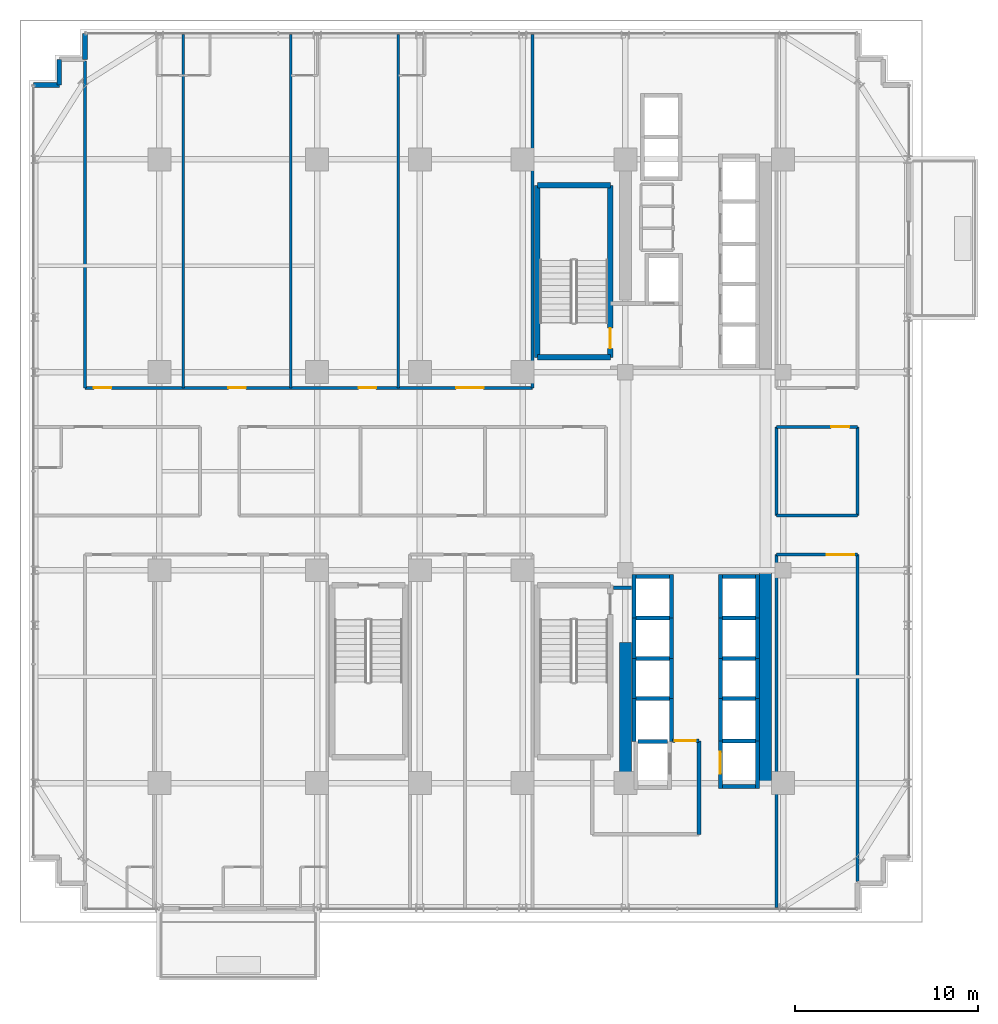
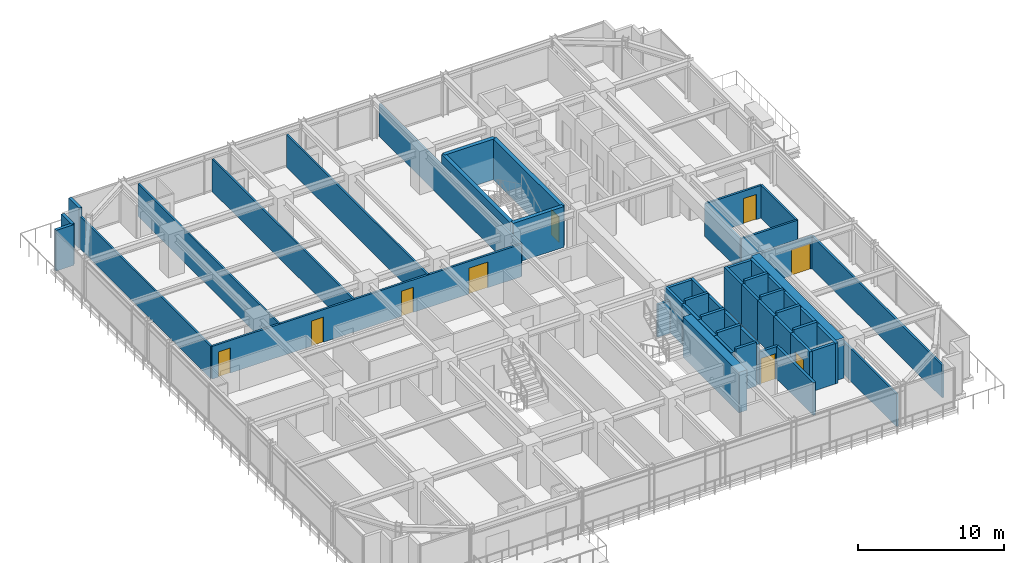
# One storey, part 28 of 34: 54 walls, 9 doors, 9 openings.
"""IFC4 building model written with IfcOpenShell, lengths in metres."""

from ifc_helpers import new_model, si_unit, direction, frame, frame_2d, origin, place, context, subcontext, project, spatial, rectangle, extrude, source, transform, mapped, material, layer, layer_set, type_object, element, fill, save


model = new_model("IFC4")

# Units and contexts
model_context = context("Model", 3, precision=1e-05, world=origin(), true_north=direction((0.0, 1.0)))
body_context = subcontext(model_context, "Body", "Model", "MODEL_VIEW")
ifc_project = project(units=[si_unit("LENGTHUNIT", "METRE"), si_unit("AREAUNIT", "SQUARE_METRE"), si_unit("VOLUMEUNIT", "CUBIC_METRE"), si_unit("PLANEANGLEUNIT", "RADIAN"), si_unit("MASSUNIT", "GRAM", prefix="KILO")], contexts=[model_context])

# Site, building, storey
site_placement = place(None, origin())
site = spatial("IfcSite", under=ifc_project, at=site_placement, CompositionType="ELEMENT")
building_placement = place(site_placement, origin())
building = spatial("IfcBuilding", under=site, at=building_placement, Name="Nahalor Promenade Grand Hotel", CompositionType="ELEMENT")
storey_placement = place(building_placement, frame((0.0, 0.0, 88.300048828125)))
storey = spatial("IfcBuildingStorey", under=building, at=storey_placement, Name="L21", CompositionType="ELEMENT", Elevation=88.300048828125)

# Walls
ifc_material_1 = material(Name="Concrete B-60 (C50/60)", Category="concrete")
ifc_layer_1 = layer(ifc_material_1, 0.64990234375)
ifc_layer_set_1 = layer_set([ifc_layer_1], Name="Concrete B-60 (C50/60)")
wall_type_1 = type_object("IfcWallType", Name="Wall-CoreShear-650", PredefinedType="SHEAR", material=ifc_layer_set_1)
shared_shape_1 = source(origin(), body_context, "Body", "SweptSolid", [
    extrude(rectangle(XDim=7.64990234375, YDim=0.64990234375, at=frame_2d((3.824951171875, 0.0))), origin(), (0.0, 0.0, 1.0), 3.3798828125),
])
wall_1_placement = place(storey_placement, frame((8.39990234375, -17.0, 0.0), z_axis=(0.0, 0.0, 1.0), x_axis=(0.0, 1.0, 0.0)))
element("IfcWall", 1, at=wall_1_placement, inside=storey, type_object=wall_type_1, Name="CWALL-L21-SW", PredefinedType="SHEAR", context=body_context, shape_type="MappedRepresentation", body=[
    mapped(shared_shape_1, transform((0.0, 0.0, 0.0), scale=1.0)),
])
shared_shape_2 = source(origin(), body_context, "Body", "SweptSolid", [
    extrude(rectangle(XDim=11.60009765625, YDim=0.64990234375, at=frame_2d((5.800048828125, 0.0))), origin(), (0.0, 0.0, 1.0), 3.3798828125),
])
wall_2_placement = place(storey_placement, frame((16.050048828125, -17.0, 0.0), z_axis=(0.0, 0.0, 1.0), x_axis=(0.0, 1.0, 0.0)))
element("IfcWall", 2, at=wall_2_placement, inside=storey, type_object=wall_type_1, Name="CWALL-L21-SE", PredefinedType="SHEAR", context=body_context, shape_type="MappedRepresentation", body=[
    mapped(shared_shape_2, transform((0.0, 0.0, 0.0), scale=1.0)),
])
ifc_material_2 = material(Name="Concrete B-50 (C40/50)", Category="concrete")
ifc_layer_2 = layer(ifc_material_2, 0.300048828125)
ifc_layer_set_2 = layer_set([ifc_layer_2], Name="Concrete B-50 (C40/50)")
wall_type_2 = type_object("IfcWallType", Name="Wall-ShaftShear-300", PredefinedType="SHEAR", material=ifc_layer_set_2)
shared_shape_3 = source(origin(), body_context, "Body", "SweptSolid", [
    extrude(rectangle(XDim=3.97998046875, YDim=0.300048828125, at=frame_2d((1.989990234375, 0.0))), origin(), (0.0, 0.0, 1.0), 3.3798828125),
])
for number, where, z_axis, x_axis, name in (
    (3, (3.610107421875, 6.2099609375, 0.0), (0.0, 0.0, 1.0), (1.0, 0.0, 0.0), "L21 Exit Stair ST1 Shaft Wall S"),
    (4, (3.610107421875, 15.590087890625, 0.0), (0.0, 0.0, 1.0), (1.0, 0.0, 0.0), "L21 Exit Stair ST1 Shaft Wall N"),
):
    element("IfcWall", number, at=place(storey_placement, frame(where, z_axis=z_axis, x_axis=x_axis)), inside=storey, type_object=wall_type_2, Name=name, PredefinedType="SHEAR", context=body_context, shape_type="MappedRepresentation", body=[
        mapped(shared_shape_3, transform((0.0, 0.0, 0.0), scale=1.0)),
    ])
shared_shape_4 = source(origin(), body_context, "Body", "SweptSolid", [
    extrude(rectangle(XDim=9.380126953125, YDim=0.300048828125, at=frame_2d((4.68994140625, 0.0))), origin(), (0.0, 0.0, 1.0), 3.3798828125),
])
wall_3_placement = place(storey_placement, frame((3.610107421875, 6.2099609375, 0.0), z_axis=(0.0, 0.0, 1.0), x_axis=(0.0, 1.0, 0.0)))
element("IfcWall", 5, at=wall_3_placement, inside=storey, type_object=wall_type_2, Name="L21 Exit Stair ST1 Shaft Wall W", PredefinedType="SHEAR", context=body_context, shape_type="MappedRepresentation", body=[
    mapped(shared_shape_4, transform((0.0, 0.0, 0.0), scale=1.0)),
])

# Wall, opening, door
wall_4_placement = place(storey_placement, frame((7.590087890625, 6.2099609375, 0.0), z_axis=(0.0, 0.0, 1.0), x_axis=(0.0, 1.0, 0.0)))
wall_4 = element("IfcWall", 6, at=wall_4_placement, inside=storey, type_object=wall_type_2, Name="L21 Exit Stair ST1 Shaft Wall E", PredefinedType="SHEAR", context=body_context, shape_type="MappedRepresentation", body=[
    mapped(shared_shape_4, transform((0.0, 0.0, 0.0), scale=1.0)),
])
opening_1_placement = place(wall_4_placement, frame((0.489990234375, 0.0, 0.0)))
opening_1 = element("IfcOpeningElement", 7, at=opening_1_placement, cuts=wall_4, Name="Opening D-ST1", PredefinedType="OPENING", context=body_context, shape_type="SweptSolid", body=[
    extrude(rectangle(XDim=1.10009765625, YDim=2.14990234375, at=frame_2d((0.550048828125, 1.074951171875))), frame((0.0, 0.159912109375, 0.0), z_axis=(0.0, -1.0, 0.0), x_axis=(1.0, 0.0, 0.0)), (0.0, 0.0, 1.0), 0.320068359375),
])
ifc_material_3 = material(Name="Steel S355JR", Category="steel")
door_type_1 = type_object("IfcDoorType", Name="Door-StairFire-1100", OperationType="NOTDEFINED", PredefinedType="DOOR", material=ifc_material_3)
shared_shape_5 = source(origin(), body_context, "Body", "SweptSolid", [
    extrude(rectangle(XDim=1.10009765625, YDim=2.14990234375, at=frame_2d((0.550048828125, 1.074951171875))), frame((0.0, 0.02490234375, 0.0), z_axis=(0.0, -1.0, 0.0), x_axis=(1.0, 0.0, 0.0)), (0.0, 0.0, 1.0), 0.050048828125),
])
door_1_placement = place(opening_1_placement, origin())
door_1 = element("IfcDoor", 8, at=door_1_placement, inside=storey, type_object=door_type_1, Name="DR-STAIR-ST1-L21", OperationType="SINGLE_SWING_RIGHT", OverallHeight=2.14990234375, OverallWidth=1.10009765625, PredefinedType="DOOR", context=body_context, shape_type="MappedRepresentation", body=[
    mapped(shared_shape_5, transform((0.0, 0.0, 0.0), scale=1.0)),
])
fill(opening_1, door_1)

# Walls
ifc_layer_3 = layer(ifc_material_2, 0.219970703125)
ifc_layer_set_3 = layer_set([ifc_layer_3], Name="Concrete B-50 (C40/50)")
wall_type_3 = type_object("IfcWallType", Name="Wall-LiftShaft-220", PredefinedType="SHEAR", material=ifc_layer_set_3)
shared_shape_6 = source(origin(), body_context, "Body", "SweptSolid", [
    extrude(rectangle(XDim=1.820068359375, YDim=0.219970703125, at=frame_2d((0.91015625, 0.0))), origin(), (0.0, 0.0, 1.0), 3.64990234375),
])
for number, where, z_axis, x_axis, name in (
    (9, (13.68994140625, -8.0, 0.0), (0.0, 0.0, 1.0), (1.0, 0.0, 0.0), "L21 Lift PL6 Hoistway Wall N"),
    (10, (13.68994140625, -10.199951171875, 0.0), (0.0, 0.0, 1.0), (1.0, 0.0, 0.0), "L21 Lift PL7 Hoistway Wall N"),
    (11, (13.68994140625, -12.39990234375, 0.0), (0.0, 0.0, 1.0), (1.0, 0.0, 0.0), "L21 Lift PL8 Hoistway Wall N"),
    (12, (8.989990234375, -8.0, 0.0), (0.0, 0.0, 1.0), (1.0, 0.0, 0.0), "L21 Lift PL10 Hoistway Wall N"),
    (13, (8.989990234375, -10.199951171875, 0.0), (0.0, 0.0, 1.0), (1.0, 0.0, 0.0), "L21 Lift PL11 Hoistway Wall N"),
    (14, (8.989990234375, -12.39990234375, 0.0), (0.0, 0.0, 1.0), (1.0, 0.0, 0.0), "L21 Lift PL12 Hoistway Wall N"),
    (15, (13.68994140625, -14.699951171875, 0.0), (0.0, 0.0, 1.0), (1.0, 0.0, 0.0), "L21 Lift SV2 Hoistway Wall N"),
):
    element("IfcWall", number, at=place(storey_placement, frame(where, z_axis=z_axis, x_axis=x_axis)), inside=storey, type_object=wall_type_3, Name=name, PredefinedType="SHEAR", context=body_context, shape_type="MappedRepresentation", body=[
        mapped(shared_shape_6, transform((0.0, 0.0, 0.0), scale=1.0)),
    ])
shared_shape_7 = source(origin(), body_context, "Body", "SweptSolid", [
    extrude(rectangle(XDim=2.360107421875, YDim=0.219970703125, at=frame_2d((1.18017578125, 0.0))), origin(), (0.0, 0.0, 1.0), 3.3798828125),
])
for number, where, z_axis, x_axis, name in (
    (16, (13.580078125, -8.0, 0.0), (0.0, 0.0, 1.0), (0.0, 1.0, 0.0), "L21 Lift PL5 Hoistway Wall W"),
    (17, (15.6201171875, -8.0, 0.0), (0.0, 0.0, 1.0), (0.0, 1.0, 0.0), "L21 Lift PL5 Hoistway Wall E"),
    (18, (8.8798828125, -8.0, 0.0), (0.0, 0.0, 1.0), (0.0, 1.0, 0.0), "L21 Lift PL9 Hoistway Wall W"),
    (19, (10.919921875, -8.0, 0.0), (0.0, 0.0, 1.0), (0.0, 1.0, 0.0), "L21 Lift PL9 Hoistway Wall E"),
):
    element("IfcWall", number, at=place(storey_placement, frame(where, z_axis=z_axis, x_axis=x_axis)), inside=storey, type_object=wall_type_3, Name=name, PredefinedType="SHEAR", context=body_context, shape_type="MappedRepresentation", body=[
        mapped(shared_shape_7, transform((0.0, 0.0, 0.0), scale=1.0)),
    ])
shared_shape_8 = source(origin(), body_context, "Body", "SweptSolid", [
    extrude(rectangle(XDim=1.820068359375, YDim=0.219970703125, at=frame_2d((0.91015625, 0.0))), origin(), (0.0, 0.0, 1.0), 3.3798828125),
])
for number, where, z_axis, x_axis, name in (
    (20, (13.68994140625, -5.75, 0.0), (0.0, 0.0, 1.0), (1.0, 0.0, 0.0), "L21 Lift PL5 Hoistway Wall N"),
    (21, (8.989990234375, -5.75, 0.0), (0.0, 0.0, 1.0), (1.0, 0.0, 0.0), "L21 Lift PL9 Hoistway Wall N"),
    (22, (13.68994140625, -17.199951171875, 0.0), (0.0, 0.0, 1.0), (1.0, 0.0, 0.0), "L21 Lift SV2 Hoistway Wall S"),
):
    element("IfcWall", number, at=place(storey_placement, frame(where, z_axis=z_axis, x_axis=x_axis)), inside=storey, type_object=wall_type_3, Name=name, PredefinedType="SHEAR", context=body_context, shape_type="MappedRepresentation", body=[
        mapped(shared_shape_8, transform((0.0, 0.0, 0.0), scale=1.0)),
    ])
shared_shape_9 = source(origin(), body_context, "Body", "SweptSolid", [
    extrude(rectangle(XDim=2.199951171875, YDim=0.219970703125, at=frame_2d((1.10009765625, 0.0))), origin(), (0.0, 0.0, 1.0), 3.3798828125),
])
for number, where, z_axis, x_axis, name in (
    (23, (13.580078125, -10.199951171875, 0.0), (0.0, 0.0, 1.0), (0.0, 1.0, 0.0), "L21 Lift PL6 Hoistway Wall W"),
    (24, (15.6201171875, -10.199951171875, 0.0), (0.0, 0.0, 1.0), (0.0, 1.0, 0.0), "L21 Lift PL6 Hoistway Wall E"),
    (25, (13.580078125, -12.39990234375, 0.0), (0.0, 0.0, 1.0), (0.0, 1.0, 0.0), "L21 Lift PL7 Hoistway Wall W"),
    (26, (15.6201171875, -12.39990234375, 0.0), (0.0, 0.0, 1.0), (0.0, 1.0, 0.0), "L21 Lift PL7 Hoistway Wall E"),
    (27, (8.8798828125, -10.199951171875, 0.0), (0.0, 0.0, 1.0), (0.0, 1.0, 0.0), "L21 Lift PL10 Hoistway Wall W"),
    (28, (10.919921875, -10.199951171875, 0.0), (0.0, 0.0, 1.0), (0.0, 1.0, 0.0), "L21 Lift PL10 Hoistway Wall E"),
    (29, (8.8798828125, -12.39990234375, 0.0), (0.0, 0.0, 1.0), (0.0, 1.0, 0.0), "L21 Lift PL11 Hoistway Wall W"),
    (30, (10.919921875, -12.39990234375, 0.0), (0.0, 0.0, 1.0), (0.0, 1.0, 0.0), "L21 Lift PL11 Hoistway Wall E"),
):
    element("IfcWall", number, at=place(storey_placement, frame(where, z_axis=z_axis, x_axis=x_axis)), inside=storey, type_object=wall_type_3, Name=name, PredefinedType="SHEAR", context=body_context, shape_type="MappedRepresentation", body=[
        mapped(shared_shape_9, transform((0.0, 0.0, 0.0), scale=1.0)),
    ])
shared_shape_10 = source(origin(), body_context, "Body", "SweptSolid", [
    extrude(rectangle(XDim=2.300048828125, YDim=0.219970703125, at=frame_2d((1.14990234375, 0.0))), origin(), (0.0, 0.0, 1.0), 3.3798828125),
])
for number, where, z_axis, x_axis, name in (
    (31, (13.580078125, -14.699951171875, 0.0), (0.0, 0.0, 1.0), (0.0, 1.0, 0.0), "L21 Lift PL8 Hoistway Wall W"),
    (32, (15.6201171875, -14.699951171875, 0.0), (0.0, 0.0, 1.0), (0.0, 1.0, 0.0), "L21 Lift PL8 Hoistway Wall E"),
):
    element("IfcWall", number, at=place(storey_placement, frame(where, z_axis=z_axis, x_axis=x_axis)), inside=storey, type_object=wall_type_3, Name=name, PredefinedType="SHEAR", context=body_context, shape_type="MappedRepresentation", body=[
        mapped(shared_shape_10, transform((0.0, 0.0, 0.0), scale=1.0)),
    ])
shared_shape_11 = source(origin(), body_context, "Body", "SweptSolid", [
    extrude(rectangle(XDim=2.3251953125, YDim=0.219970703125, at=frame_2d((1.16259765625, 0.0))), origin(), (0.0, 0.0, 1.0), 3.3798828125),
])
for number, where, z_axis, x_axis, name in (
    (33, (8.8798828125, -14.72509765625, 0.0), (0.0, 0.0, 1.0), (0.0, 1.0, 0.0), "L21 Lift PL12 Hoistway Wall W"),
    (34, (10.919921875, -14.72509765625, 0.0), (0.0, 0.0, 1.0), (0.0, 1.0, 0.0), "L21 Lift PL12 Hoistway Wall E"),
):
    element("IfcWall", number, at=place(storey_placement, frame(where, z_axis=z_axis, x_axis=x_axis)), inside=storey, type_object=wall_type_3, Name=name, PredefinedType="SHEAR", context=body_context, shape_type="MappedRepresentation", body=[
        mapped(shared_shape_11, transform((0.0, 0.0, 0.0), scale=1.0)),
    ])
shared_shape_12 = source(origin(), body_context, "Body", "SweptSolid", [
    extrude(rectangle(XDim=1.619873046875, YDim=0.219970703125, at=frame_2d((0.81005859375, 0.0))), origin(), (0.0, 0.0, 1.0), 3.64990234375),
])
wall_5_placement = place(storey_placement, frame((9.090087890625, -14.72509765625, 0.0), z_axis=(0.0, 0.0, 1.0), x_axis=(1.0, 0.0, 0.0)))
element("IfcWall", 35, at=wall_5_placement, inside=storey, type_object=wall_type_3, Name="L21 Lift FL2 Hoistway Wall N", PredefinedType="SHEAR", context=body_context, shape_type="MappedRepresentation", body=[
    mapped(shared_shape_12, transform((0.0, 0.0, 0.0), scale=1.0)),
])

# Wall, opening, door
shared_shape_13 = source(origin(), body_context, "Body", "SweptSolid", [
    extrude(rectangle(XDim=2.610107421875, YDim=0.219970703125, at=frame_2d((1.30517578125, 0.0))), origin(), (0.0, 0.0, 1.0), 3.3798828125),
])
wall_6_placement = place(storey_placement, frame((13.580078125, -17.31005859375, 0.0), z_axis=(0.0, 0.0, 1.0), x_axis=(0.0, 1.0, 0.0)))
wall_6 = element("IfcWall", 36, at=wall_6_placement, inside=storey, type_object=wall_type_3, Name="L21 Lift SV2 Hoistway Wall W", PredefinedType="SHEAR", context=body_context, shape_type="MappedRepresentation", body=[
    mapped(shared_shape_13, transform((0.0, 0.0, 0.0), scale=1.0)),
])
opening_2_placement = place(wall_6_placement, frame((0.81005859375, 0.0, 0.0)))
opening_2 = element("IfcOpeningElement", 37, at=opening_2_placement, cuts=wall_6, Name="Opening LD-03", PredefinedType="OPENING", context=body_context, shape_type="SweptSolid", body=[
    extrude(rectangle(XDim=1.199951171875, YDim=2.199951171875, at=frame_2d((0.60009765625, 1.10009765625))), frame((0.0, 0.119873046875, 0.0), z_axis=(0.0, -1.0, 0.0), x_axis=(1.0, 0.0, 0.0)), (0.0, 0.0, 1.0), 0.239990234375),
])
door_type_2 = type_object("IfcDoorType", Name="Door-LiftService-1200", OperationType="DOUBLE_DOOR_SLIDING", PredefinedType="DOOR", material=ifc_material_3)
shared_shape_14 = source(origin(), body_context, "Body", "SweptSolid", [
    extrude(rectangle(XDim=1.199951171875, YDim=2.199951171875, at=frame_2d((0.60009765625, 1.10009765625))), frame((0.0, 0.02490234375, 0.0), z_axis=(0.0, -1.0, 0.0), x_axis=(1.0, 0.0, 0.0)), (0.0, 0.0, 1.0), 0.050048828125),
])
door_2_placement = place(opening_2_placement, origin())
door_2 = element("IfcDoor", 38, at=door_2_placement, inside=storey, type_object=door_type_2, Name="DR-LIFT-SV2-L21", OperationType="DOUBLE_DOOR_SLIDING", OverallHeight=2.199951171875, OverallWidth=1.199951171875, PredefinedType="DOOR", context=body_context, shape_type="MappedRepresentation", body=[
    mapped(shared_shape_14, transform((0.0, 0.0, 0.0), scale=1.0)),
])
fill(opening_2, door_2)

# Walls
wall_7_placement = place(storey_placement, frame((15.6201171875, -17.31005859375, 0.0), z_axis=(0.0, 0.0, 1.0), x_axis=(0.0, 1.0, 0.0)))
element("IfcWall", 39, at=wall_7_placement, inside=storey, type_object=wall_type_3, Name="L21 Lift SV2 Hoistway Wall E", PredefinedType="SHEAR", context=body_context, shape_type="MappedRepresentation", body=[
    mapped(shared_shape_13, transform((0.0, 0.0, 0.0), scale=1.0)),
])
ifc_material_4 = material(Name="Concrete B-40 (C32/40)", Category="concrete")
ifc_layer_4 = layer(ifc_material_4, 0.25)
ifc_layer_set_4 = layer_set([ifc_layer_4], Name="Concrete B-40 (C32/40)")
wall_type_4 = type_object("IfcWallType", Name="Wall-BronzePier-250", PredefinedType="STANDARD", material=ifc_layer_set_4)
shared_shape_15 = source(origin(), body_context, "Body", "SweptSolid", [
    extrude(rectangle(XDim=1.400146484375, YDim=0.25, at=frame_2d((0.7001953125, 0.0))), origin(), (0.0, 0.0, 1.0), 3.3798828125),
])
for number, where, z_axis, x_axis, name in (
    (40, (-21.06005859375, 22.4599609375, 0.0), (0.0, 0.0, 1.0), (0.0, 1.0, 0.0), "W-L21-SR-09"),
    (41, (-23.860107421875, 21.06005859375, 0.0), (0.0, 0.0, 1.0), (1.0, 0.0, 0.0), "W-L21-SR-12"),
):
    element("IfcWall", number, at=place(storey_placement, frame(where, z_axis=z_axis, x_axis=x_axis)), inside=storey, type_object=wall_type_4, Name=name, PredefinedType="STANDARD", context=body_context, shape_type="MappedRepresentation", body=[
        mapped(shared_shape_15, transform((0.0, 0.0, 0.0), scale=1.0)),
    ])
shared_shape_16 = source(origin(), body_context, "Body", "SweptSolid", [
    extrude(rectangle(XDim=1.39990234375, YDim=0.25, at=frame_2d((0.699951171875, 0.0))), origin(), (0.0, 0.0, 1.0), 3.3798828125),
])
wall_8_placement = place(storey_placement, frame((-22.4599609375, 21.06005859375, 0.0), z_axis=(0.0, 0.0, 1.0), x_axis=(0.0, 1.0, 0.0)))
element("IfcWall", 42, at=wall_8_placement, inside=storey, type_object=wall_type_4, Name="W-L21-SR-11", PredefinedType="STANDARD", context=body_context, shape_type="MappedRepresentation", body=[
    mapped(shared_shape_16, transform((0.0, 0.0, 0.0), scale=1.0)),
])
ifc_layer_5 = layer(ifc_material_4, 0.199951171875)
ifc_layer_set_5 = layer_set([ifc_layer_5], Name="Concrete B-40 (C32/40)")
wall_type_5 = type_object("IfcWallType", Name="Wall-PartFire-200", PredefinedType="PARTITIONING", material=ifc_layer_set_5)
shared_shape_17 = source(origin(), body_context, "Body", "SweptSolid", [
    extrude(rectangle(XDim=5.10009765625, YDim=0.199951171875, at=frame_2d((2.550048828125, 0.0))), origin(), (0.0, 0.0, 1.0), 2.719970703125),
])
wall_9_placement = place(storey_placement, frame((12.419921875, -19.800048828125, 0.0), z_axis=(0.0, 0.0, 1.0), x_axis=(0.0, 1.0, 0.0)))
element("IfcWall", 43, at=wall_9_placement, inside=storey, type_object=wall_type_5, Name="W-L21-FF2-E", PredefinedType="PARTITIONING", context=body_context, shape_type="MappedRepresentation", body=[
    mapped(shared_shape_17, transform((0.0, 0.0, 0.0), scale=1.0)),
])

# Wall, opening, door
shared_shape_18 = source(origin(), body_context, "Body", "SweptSolid", [
    extrude(rectangle(XDim=1.4599609375, YDim=0.199951171875, at=frame_2d((0.72998046875, 0.0))), origin(), (0.0, 0.0, 1.0), 2.719970703125),
])
wall_10_placement = place(storey_placement, frame((10.9599609375, -14.699951171875, 0.0), z_axis=(0.0, 0.0, 1.0), x_axis=(1.0, 0.0, 0.0)))
wall_10 = element("IfcWall", 44, at=wall_10_placement, inside=storey, type_object=wall_type_5, Name="W-L21-FF2-N1", PredefinedType="PARTITIONING", context=body_context, shape_type="MappedRepresentation", body=[
    mapped(shared_shape_18, transform((0.0, 0.0, 0.0), scale=1.0)),
])
opening_3_placement = place(wall_10_placement, frame((0.14501953125, 0.0, 0.0)))
opening_3 = element("IfcOpeningElement", 45, at=opening_3_placement, cuts=wall_10, Name="Opening D-FF1", PredefinedType="OPENING", context=body_context, shape_type="SweptSolid", body=[
    extrude(rectangle(XDim=1.14990234375, YDim=2.14990234375, at=frame_2d((0.574951171875, 1.074951171875))), frame((0.0, 0.10986328125, 0.0), z_axis=(0.0, -1.0, 0.0), x_axis=(1.0, 0.0, 0.0)), (0.0, 0.0, 1.0), 0.219970703125),
])
door_type_3 = type_object("IfcDoorType", Name="Door-FFLobby-1150", OperationType="NOTDEFINED", PredefinedType="DOOR", material=ifc_material_3)
shared_shape_19 = source(origin(), body_context, "Body", "SweptSolid", [
    extrude(rectangle(XDim=1.14990234375, YDim=2.14990234375, at=frame_2d((0.574951171875, 1.074951171875))), frame((0.0, 0.02490234375, 0.0), z_axis=(0.0, -1.0, 0.0), x_axis=(1.0, 0.0, 0.0)), (0.0, 0.0, 1.0), 0.050048828125),
])
door_3_placement = place(opening_3_placement, origin())
door_3 = element("IfcDoor", 46, at=door_3_placement, inside=storey, type_object=door_type_3, Name="DR-L21-FFL2", OperationType="SINGLE_SWING_RIGHT", OverallHeight=2.14990234375, OverallWidth=1.14990234375, PredefinedType="DOOR", context=body_context, shape_type="MappedRepresentation", body=[
    mapped(shared_shape_19, transform((0.0, 0.0, 0.0), scale=1.0)),
])
fill(opening_3, door_3)

# Wall
shared_shape_20 = source(origin(), body_context, "Body", "SweptSolid", [
    extrude(rectangle(XDim=0.969970703125, YDim=0.199951171875, at=frame_2d((0.48486328125, 0.0))), origin(), (0.0, 0.0, 1.0), 2.719970703125),
])
wall_11_placement = place(storey_placement, frame((7.77001953125, -6.35009765625, 0.0), z_axis=(0.0, 0.0, 1.0), x_axis=(1.0, 0.0, 0.0)))
element("IfcWall", 47, at=wall_11_placement, inside=storey, type_object=wall_type_5, Name="W-L21-FF2-N2", PredefinedType="PARTITIONING", context=body_context, shape_type="MappedRepresentation", body=[
    mapped(shared_shape_20, transform((0.0, 0.0, 0.0), scale=1.0)),
])

# Wall, opening, door
ifc_material_5 = material(Name="Acoustic Mineral Gypsum", Category="gypsum")
ifc_layer_6 = layer(ifc_material_5, 0.159912109375)
ifc_layer_set_6 = layer_set([ifc_layer_6], Name="Acoustic Mineral Gypsum")
wall_type_6 = type_object("IfcWallType", Name="Wall-PartCorridor-160", PredefinedType="PARTITIONING", material=ifc_layer_set_6)
shared_shape_21 = source(origin(), body_context, "Body", "SweptSolid", [
    extrude(rectangle(XDim=4.41015625, YDim=0.159912109375, at=frame_2d((2.205078125, 0.0))), origin(), (0.0, 0.0, 1.0), 2.719970703125),
])
wall_12_placement = place(storey_placement, frame((16.64990234375, -4.550048828125, 0.0), z_axis=(0.0, 0.0, 1.0), x_axis=(1.0, 0.0, 0.0)))
wall_12 = element("IfcWall", 48, at=wall_12_placement, inside=storey, type_object=wall_type_6, Name="W-L21-ESE-N", PredefinedType="PARTITIONING", context=body_context, shape_type="MappedRepresentation", body=[
    mapped(shared_shape_21, transform((0.0, 0.0, 0.0), scale=1.0)),
])
opening_4_placement = place(wall_12_placement, frame((2.721923828125, 0.0, 0.0)))
opening_4 = element("IfcOpeningElement", 49, at=opening_4_placement, cuts=wall_12, Name="Opening D-02", PredefinedType="OPENING", context=body_context, shape_type="SweptSolid", body=[
    extrude(rectangle(XDim=1.5, YDim=2.14990234375, at=frame_2d((0.75, 1.074951171875))), frame((0.0, 0.08984375, 0.0), z_axis=(0.0, -1.0, 0.0), x_axis=(1.0, 0.0, 0.0)), (0.0, 0.0, 1.0), 0.179931640625),
])
ifc_material_6 = material(Name="Fire-Rated Timber Composite", Category="wood")
door_type_4 = type_object("IfcDoorType", Name="Door-SuiteDouble-1500", OperationType="DOUBLE_DOOR_SINGLE_SWING", PredefinedType="DOOR", material=ifc_material_6)
shared_shape_22 = source(origin(), body_context, "Body", "SweptSolid", [
    extrude(rectangle(XDim=1.5, YDim=2.14990234375, at=frame_2d((0.75, 1.074951171875))), frame((0.0, 0.02490234375, 0.0), z_axis=(0.0, -1.0, 0.0), x_axis=(1.0, 0.0, 0.0)), (0.0, 0.0, 1.0), 0.050048828125),
])
door_4_placement = place(opening_4_placement, frame((1.5, 0.0, 0.0), z_axis=(0.0, 0.0, 1.0), x_axis=(-1.0, 0.0, 0.0)))
door_4 = element("IfcDoor", 50, at=door_4_placement, inside=storey, type_object=door_type_4, Name="DR-L21-ESE", OperationType="DOUBLE_DOOR_SINGLE_SWING", OverallHeight=2.14990234375, OverallWidth=1.5, PredefinedType="DOOR", context=body_context, shape_type="MappedRepresentation", body=[
    mapped(shared_shape_22, transform((0.0, 0.0, 0.0), scale=1.0)),
])
fill(opening_4, door_4)

# Wall
wall_13_placement = place(storey_placement, frame((16.64990234375, -2.419921875, 0.0), z_axis=(0.0, 0.0, 1.0), x_axis=(1.0, 0.0, 0.0)))
element("IfcWall", 51, at=wall_13_placement, inside=storey, type_object=wall_type_6, Name="W-L21-ECW-S", PredefinedType="PARTITIONING", context=body_context, shape_type="MappedRepresentation", body=[
    mapped(shared_shape_21, transform((0.0, 0.0, 0.0), scale=1.0)),
])

# Wall, opening, door
wall_14_placement = place(storey_placement, frame((16.64990234375, 2.419921875, 0.0), z_axis=(0.0, 0.0, 1.0), x_axis=(1.0, 0.0, 0.0)))
wall_14 = element("IfcWall", 52, at=wall_14_placement, inside=storey, type_object=wall_type_6, Name="W-L21-ECW-N", PredefinedType="PARTITIONING", context=body_context, shape_type="MappedRepresentation", body=[
    mapped(shared_shape_21, transform((0.0, 0.0, 0.0), scale=1.0)),
])
opening_5_placement = place(wall_14_placement, frame((2.971923828125, 0.0, 0.0)))
opening_5 = element("IfcOpeningElement", 53, at=opening_5_placement, cuts=wall_14, Name="Opening D-04", PredefinedType="OPENING", context=body_context, shape_type="SweptSolid", body=[
    extrude(rectangle(XDim=1.0, YDim=2.10009765625, at=frame_2d((0.5, 1.050048828125))), frame((0.0, 0.08984375, 0.0), z_axis=(0.0, -1.0, 0.0), x_axis=(1.0, 0.0, 0.0)), (0.0, 0.0, 1.0), 0.179931640625),
])
door_type_5 = type_object("IfcDoorType", Name="Door-ServiceFire-1000", OperationType="NOTDEFINED", PredefinedType="DOOR", material=ifc_material_3)
shared_shape_23 = source(origin(), body_context, "Body", "SweptSolid", [
    extrude(rectangle(XDim=1.0, YDim=2.10009765625, at=frame_2d((0.5, 1.050048828125))), frame((0.0, 0.02490234375, 0.0), z_axis=(0.0, -1.0, 0.0), x_axis=(1.0, 0.0, 0.0)), (0.0, 0.0, 1.0), 0.050048828125),
])
door_5_placement = place(opening_5_placement, frame((1.0, 0.0, 0.0), z_axis=(0.0, 0.0, 1.0), x_axis=(-1.0, 0.0, 0.0)))
door_5 = element("IfcDoor", 54, at=door_5_placement, inside=storey, type_object=door_type_5, Name="DR-L21-ECW", OperationType="SINGLE_SWING_LEFT", OverallHeight=2.10009765625, OverallWidth=1.0, PredefinedType="DOOR", context=body_context, shape_type="MappedRepresentation", body=[
    mapped(shared_shape_23, transform((0.0, 0.0, 0.0), scale=1.0)),
])
fill(opening_5, door_5)

# Walls
shared_shape_24 = source(origin(), body_context, "Body", "SweptSolid", [
    extrude(rectangle(XDim=19.25, YDim=0.159912109375, at=frame_2d((9.625, 0.0))), origin(), (0.0, 0.0, 1.0), 2.719970703125),
])
wall_15_placement = place(storey_placement, frame((16.64990234375, -23.800048828125, 0.0), z_axis=(0.0, 0.0, 1.0), x_axis=(0.0, 1.0, 0.0)))
element("IfcWall", 55, at=wall_15_placement, inside=storey, type_object=wall_type_6, Name="W-L21-ESE-W", PredefinedType="PARTITIONING", context=body_context, shape_type="MappedRepresentation", body=[
    mapped(shared_shape_24, transform((0.0, 0.0, 0.0), scale=1.0)),
])
shared_shape_25 = source(origin(), body_context, "Body", "SweptSolid", [
    extrude(rectangle(XDim=17.829833984375, YDim=0.159912109375, at=frame_2d((8.9150390625, 0.0))), origin(), (0.0, 0.0, 1.0), 2.719970703125),
])
wall_16_placement = place(storey_placement, frame((21.06005859375, -22.3798828125, 0.0), z_axis=(0.0, 0.0, 1.0), x_axis=(0.0, 1.0, 0.0)))
element("IfcWall", 56, at=wall_16_placement, inside=storey, type_object=wall_type_6, Name="W-L21-ESE-E", PredefinedType="PARTITIONING", context=body_context, shape_type="MappedRepresentation", body=[
    mapped(shared_shape_25, transform((0.0, 0.0, 0.0), scale=1.0)),
])

# Wall, openings, doors
shared_shape_26 = source(origin(), body_context, "Body", "SweptSolid", [
    extrude(rectangle(XDim=24.400146484375, YDim=0.159912109375, at=frame_2d((12.2001953125, 0.0))), origin(), (0.0, 0.0, 1.0), 2.719970703125),
])
wall_17_placement = place(storey_placement, frame((-21.06005859375, 4.550048828125, 0.0), z_axis=(0.0, 0.0, 1.0), x_axis=(1.0, 0.0, 0.0)))
wall_17 = element("IfcWall", 57, at=wall_17_placement, inside=storey, type_object=wall_type_6, Name="W-L21-CORR-N", PredefinedType="PARTITIONING", context=body_context, shape_type="MappedRepresentation", body=[
    mapped(shared_shape_26, transform((0.0, 0.0, 0.0), scale=1.0)),
])
opening_6_placement = place(wall_17_placement, frame((0.48291015625, 0.0, 0.0)))
opening_6 = element("IfcOpeningElement", 58, at=opening_6_placement, cuts=wall_17, Name="Opening D-01", PredefinedType="OPENING", context=body_context, shape_type="SweptSolid", body=[
    extrude(rectangle(XDim=0.949951171875, YDim=2.10009765625, at=frame_2d((0.47509765625, 1.050048828125))), frame((0.0, 0.08984375, 0.0), z_axis=(0.0, -1.0, 0.0), x_axis=(1.0, 0.0, 0.0)), (0.0, 0.0, 1.0), 0.179931640625),
])
opening_7_placement = place(wall_17_placement, frame((7.821044921875, 0.0, 0.0)))
opening_7 = element("IfcOpeningElement", 59, at=opening_7_placement, cuts=wall_17, Name="Opening D-01", PredefinedType="OPENING", context=body_context, shape_type="SweptSolid", body=[
    extrude(rectangle(XDim=0.949951171875, YDim=2.10009765625, at=frame_2d((0.47509765625, 1.050048828125))), frame((0.0, 0.08984375, 0.0), z_axis=(0.0, -1.0, 0.0), x_axis=(1.0, 0.0, 0.0)), (0.0, 0.0, 1.0), 0.179931640625),
])
opening_8_placement = place(wall_17_placement, frame((14.924072265625, 0.0, 0.0)))
opening_8 = element("IfcOpeningElement", 60, at=opening_8_placement, cuts=wall_17, Name="Opening D-01", PredefinedType="OPENING", context=body_context, shape_type="SweptSolid", body=[
    extrude(rectangle(XDim=0.949951171875, YDim=2.10009765625, at=frame_2d((0.47509765625, 1.050048828125))), frame((0.0, 0.08984375, 0.0), z_axis=(0.0, -1.0, 0.0), x_axis=(1.0, 0.0, 0.0)), (0.0, 0.0, 1.0), 0.179931640625),
])
opening_9_placement = place(wall_17_placement, frame((20.23193359375, 0.0, 0.0)))
opening_9 = element("IfcOpeningElement", 61, at=opening_9_placement, cuts=wall_17, Name="Opening D-02", PredefinedType="OPENING", context=body_context, shape_type="SweptSolid", body=[
    extrude(rectangle(XDim=1.5, YDim=2.14990234375, at=frame_2d((0.75, 1.074951171875))), frame((0.0, 0.08984375, 0.0), z_axis=(0.0, -1.0, 0.0), x_axis=(1.0, 0.0, 0.0)), (0.0, 0.0, 1.0), 0.179931640625),
])
door_6_placement = place(opening_9_placement, origin())
door_6 = element("IfcDoor", 62, at=door_6_placement, inside=storey, type_object=door_type_4, Name="DR-L21-N4-ENT", OperationType="DOUBLE_DOOR_SINGLE_SWING", OverallHeight=2.14990234375, OverallWidth=1.5, PredefinedType="DOOR", context=body_context, shape_type="MappedRepresentation", body=[
    mapped(shared_shape_22, transform((0.0, 0.0, 0.0), scale=1.0)),
])
fill(opening_9, door_6)
door_type_6 = type_object("IfcDoorType", Name="Door-GuestEntry-950", OperationType="NOTDEFINED", PredefinedType="DOOR", material=ifc_material_6)
shared_shape_27 = source(origin(), body_context, "Body", "SweptSolid", [
    extrude(rectangle(XDim=0.949951171875, YDim=2.10009765625, at=frame_2d((0.47509765625, 1.050048828125))), frame((0.0, 0.02490234375, 0.0), z_axis=(0.0, -1.0, 0.0), x_axis=(1.0, 0.0, 0.0)), (0.0, 0.0, 1.0), 0.050048828125),
])
door_7_placement = place(opening_6_placement, origin())
door_7 = element("IfcDoor", 63, at=door_7_placement, inside=storey, type_object=door_type_6, Name="DR-L21-N1-ENT", OperationType="SINGLE_SWING_LEFT", OverallHeight=2.10009765625, OverallWidth=0.949951171875, PredefinedType="DOOR", context=body_context, shape_type="MappedRepresentation", body=[
    mapped(shared_shape_27, transform((0.0, 0.0, 0.0), scale=1.0)),
])
fill(opening_6, door_7)
door_8_placement = place(opening_7_placement, origin())
door_8 = element("IfcDoor", 64, at=door_8_placement, inside=storey, type_object=door_type_6, Name="DR-L21-N2-ENT", OperationType="SINGLE_SWING_LEFT", OverallHeight=2.10009765625, OverallWidth=0.949951171875, PredefinedType="DOOR", context=body_context, shape_type="MappedRepresentation", body=[
    mapped(shared_shape_27, transform((0.0, 0.0, 0.0), scale=1.0)),
])
fill(opening_7, door_8)
door_9_placement = place(opening_8_placement, origin())
door_9 = element("IfcDoor", 65, at=door_9_placement, inside=storey, type_object=door_type_6, Name="DR-L21-N3-ENT", OperationType="SINGLE_SWING_LEFT", OverallHeight=2.10009765625, OverallWidth=0.949951171875, PredefinedType="DOOR", context=body_context, shape_type="MappedRepresentation", body=[
    mapped(shared_shape_27, transform((0.0, 0.0, 0.0), scale=1.0)),
])
fill(opening_8, door_9)

# Walls
ifc_layer_7 = layer(ifc_material_5, 0.139892578125)
ifc_layer_set_7 = layer_set([ifc_layer_7], Name="Acoustic Mineral Gypsum")
wall_type_7 = type_object("IfcWallType", Name="Wall-PartSuite-140", PredefinedType="PARTITIONING", material=ifc_layer_set_7)
shared_shape_28 = source(origin(), body_context, "Body", "SweptSolid", [
    extrude(rectangle(XDim=17.829833984375, YDim=0.139892578125, at=frame_2d((8.9150390625, 0.0))), origin(), (0.0, 0.0, 1.0), 2.719970703125),
])
wall_18_placement = place(storey_placement, frame((-21.06005859375, 4.550048828125, 0.0), z_axis=(0.0, 0.0, 1.0), x_axis=(0.0, 1.0, 0.0)))
element("IfcWall", 66, at=wall_18_placement, inside=storey, type_object=wall_type_7, Name="W-L21-NW-ENDW", PredefinedType="PARTITIONING", context=body_context, shape_type="MappedRepresentation", body=[
    mapped(shared_shape_28, transform((0.0, 0.0, 0.0), scale=1.0)),
])
shared_shape_29 = source(origin(), body_context, "Body", "SweptSolid", [
    extrude(rectangle(XDim=19.25, YDim=0.139892578125, at=frame_2d((9.625, 0.0))), origin(), (0.0, 0.0, 1.0), 2.719970703125),
])
for number, where, z_axis, x_axis, name in (
    (67, (3.340087890625, 4.550048828125, 0.0), (0.0, 0.0, 1.0), (0.0, 1.0, 0.0), "W-L21-NW-ENDE"),
    (68, (-15.69189453125, 4.550048828125, 0.0), (0.0, 0.0, 1.0), (0.0, 1.0, 0.0), "W-L21-NP-1"),
    (69, (-9.8359375, 4.550048828125, 0.0), (0.0, 0.0, 1.0), (0.0, 1.0, 0.0), "W-L21-NP-2"),
    (70, (-3.97998046875, 4.550048828125, 0.0), (0.0, 0.0, 1.0), (0.0, 1.0, 0.0), "W-L21-NP-3"),
):
    element("IfcWall", number, at=place(storey_placement, frame(where, z_axis=z_axis, x_axis=x_axis)), inside=storey, type_object=wall_type_7, Name=name, PredefinedType="PARTITIONING", context=body_context, shape_type="MappedRepresentation", body=[
        mapped(shared_shape_29, transform((0.0, 0.0, 0.0), scale=1.0)),
    ])
shared_shape_30 = source(origin(), body_context, "Body", "SweptSolid", [
    extrude(rectangle(XDim=4.83984375, YDim=0.159912109375, at=frame_2d((2.419921875, 0.0))), origin(), (0.0, 0.0, 1.0), 2.719970703125),
])
for number, where, z_axis, x_axis, name in (
    (71, (16.64990234375, -2.419921875, 0.0), (0.0, 0.0, 1.0), (0.0, 1.0, 0.0), "W-L21-ECW-W"),
    (72, (21.06005859375, -2.419921875, 0.0), (0.0, 0.0, 1.0), (0.0, 1.0, 0.0), "W-L21-ECW-E"),
):
    element("IfcWall", number, at=place(storey_placement, frame(where, z_axis=z_axis, x_axis=x_axis)), inside=storey, type_object=wall_type_6, Name=name, PredefinedType="PARTITIONING", context=body_context, shape_type="MappedRepresentation", body=[
        mapped(shared_shape_30, transform((0.0, 0.0, 0.0), scale=1.0)),
    ])

save(model, "model.ifc")
